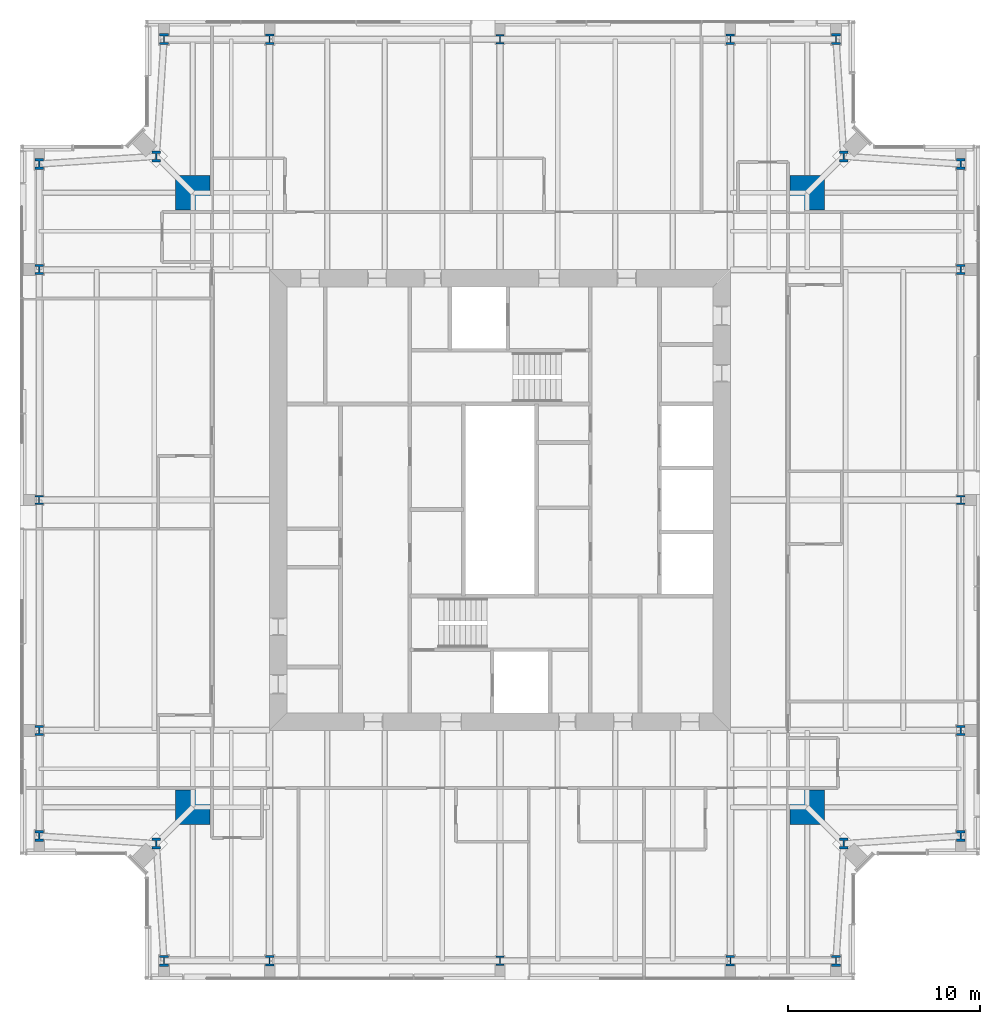
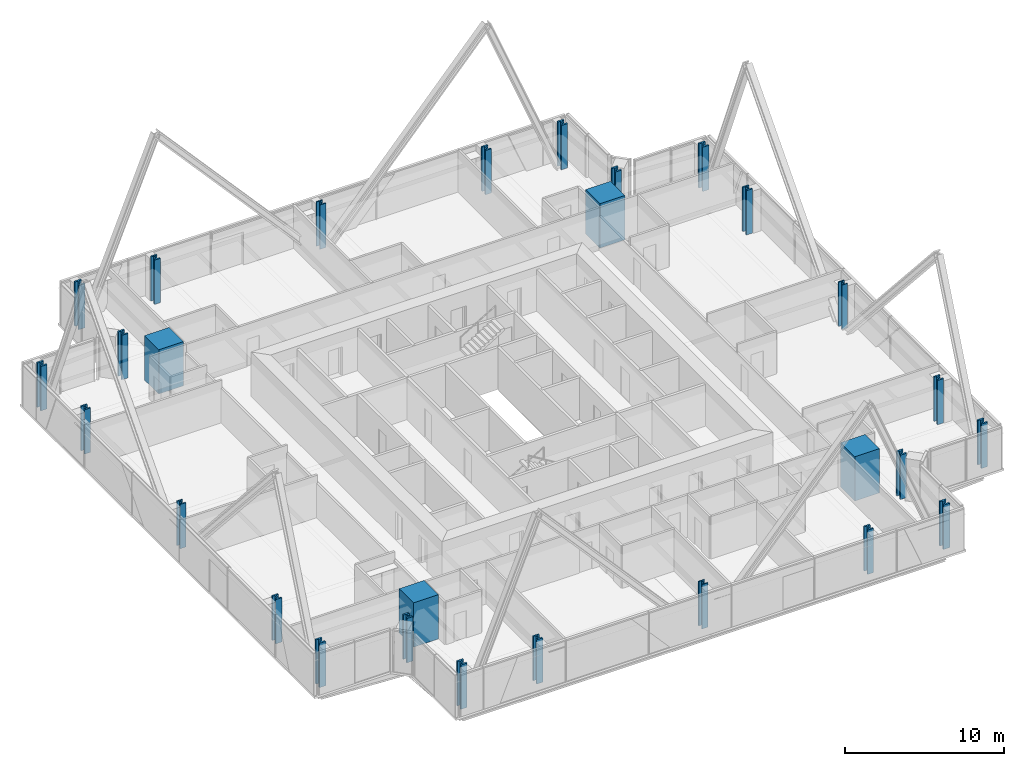
# One storey, part 1 of 19: 28 columns.
"""IFC4 building model written with IfcOpenShell, lengths in metres."""

from ifc_helpers import new_model, si_unit, direction, frame, origin, origin_2d, place, context, subcontext, project, spatial, rectangle, i_section, extrude, material, material_profile, profile_set, type_object, element, save


model = new_model("IFC4")

# Units and contexts
model_context = context("Model", 3, precision=1e-05, world=origin(), true_north=direction((0.0, 1.0)))
body_context = subcontext(model_context, "Body", "Model", "MODEL_VIEW")
ifc_project = project(units=[si_unit("LENGTHUNIT", "METRE"), si_unit("AREAUNIT", "SQUARE_METRE"), si_unit("VOLUMEUNIT", "CUBIC_METRE"), si_unit("PLANEANGLEUNIT", "RADIAN"), si_unit("MASSUNIT", "GRAM", prefix="KILO")], contexts=[model_context])

# Site, building, storey
site_placement = place(None, origin())
site = spatial("IfcSite", under=ifc_project, at=site_placement, CompositionType="ELEMENT")
building_placement = place(site_placement, origin())
building = spatial("IfcBuilding", under=site, at=building_placement, Name="Fenwick Lantern Interchange", CompositionType="ELEMENT")
storey_placement = place(building_placement, frame((0.0, 0.0, 283.199951171875)))
storey = spatial("IfcBuildingStorey", under=building, at=storey_placement, Name="L68", CompositionType="ELEMENT", Elevation=283.199951171875)

# Columns
ifc_material_1 = material(Name="Concrete f'c 70 MPa", Category="concrete")
ifc_material_profile_1 = material_profile(ifc_material_1, rectangle(XDim=1.800048828125, YDim=1.800048828125, at=origin_2d()), Name="RC1800X1800")
ifc_profile_set_1 = profile_set([ifc_material_profile_1], Name="Concrete f'c 70 MPa")
column_type_1 = type_object("IfcColumnType", Name="MEGA COLUMN RC1800X1800", PredefinedType="COLUMN", material=ifc_profile_set_1)
for number, where, z_axis, x_axis, name in (
    (1, (9.0, 9.0, 0.0), (0.0, 0.0, 1.0), (1.0, 0.0, 0.0), "L68/M1"),
    (2, (41.0, 9.0, 0.0), (0.0, 0.0, 1.0), (1.0, 0.0, 0.0), "L68/M2"),
    (3, (41.0, 41.0, 0.0), (0.0, 0.0, 1.0), (1.0, 0.0, 0.0), "L68/M3"),
    (4, (9.0, 41.0, 0.0), (0.0, 0.0, 1.0), (1.0, 0.0, 0.0), "L68/M4"),
):
    element("IfcColumn", number, at=place(storey_placement, frame(where, z_axis=z_axis, x_axis=x_axis)), inside=storey, type_object=column_type_1, Name=name, PredefinedType="COLUMN", context=body_context, shape_type="SweptSolid", body=[
        extrude(rectangle(XDim=1.800048828125, YDim=1.800048828125, at=origin_2d()), origin(), (0.0, 0.0, 1.0), 3.400146484375),
    ])
ifc_material_2 = material(Name="Steel ASTM A992 Grade 50", Category="steel")
ifc_material_profile_2 = material_profile(ifc_material_2, i_section(OverallWidth=0.424072265625, OverallDepth=0.47509765625, WebThickness=0.0478515625, FlangeThickness=0.0771484375, at=origin_2d()), Name="W14X426")
ifc_profile_set_2 = profile_set([ifc_material_profile_2], Name="Steel ASTM A992 Grade 50")
column_type_2 = type_object("IfcColumnType", Name="PERIMETER COLUMN W14X426", PredefinedType="COLUMN", material=ifc_profile_set_2)
for number, where, z_axis, x_axis, name in (
    (5, (25.0, 1.0, 0.0), (0.0, 0.0, 1.0), (1.0, 0.0, 0.0), "L68/CS3"),
    (6, (49.0, 25.0, 0.0), (0.0, 0.0, 1.0), (1.0, 0.0, 0.0), "L68/CE3"),
    (7, (25.0, 49.0, 0.0), (0.0, 0.0, 1.0), (1.0, 0.0, 0.0), "L68/CN3"),
    (8, (1.0, 25.0, 0.0), (0.0, 0.0, 1.0), (1.0, 0.0, 0.0), "L68/CW3"),
):
    element("IfcColumn", number, at=place(storey_placement, frame(where, z_axis=z_axis, x_axis=x_axis)), inside=storey, type_object=column_type_2, Name=name, PredefinedType="COLUMN", context=body_context, shape_type="SweptSolid", body=[
        extrude(i_section(OverallWidth=0.424072265625, OverallDepth=0.47509765625, WebThickness=0.0478515625, FlangeThickness=0.0771484375, at=origin_2d()), origin(), (0.0, 0.0, 1.0), 3.400146484375),
    ])
ifc_material_profile_3 = material_profile(ifc_material_2, i_section(OverallWidth=0.44189453125, OverallDepth=0.53076171875, WebThickness=0.06591796875, FlangeThickness=0.105712890625, at=origin_2d()), Name="W14X605")
ifc_profile_set_3 = profile_set([ifc_material_profile_3], Name="Steel ASTM A992 Grade 50")
column_type_3 = type_object("IfcColumnType", Name="PERIMETER COLUMN W14X605", PredefinedType="COLUMN", material=ifc_profile_set_3)
for number, where, z_axis, x_axis, name in (
    (9, (13.0, 1.0, 0.0), (0.0, 0.0, 1.0), (1.0, 0.0, 0.0), "L68/CS2"),
    (10, (37.0, 1.0, 0.0), (0.0, 0.0, 1.0), (1.0, 0.0, 0.0), "L68/CS4"),
    (11, (49.0, 13.0, 0.0), (0.0, 0.0, 1.0), (1.0, 0.0, 0.0), "L68/CE2"),
    (12, (49.0, 37.0, 0.0), (0.0, 0.0, 1.0), (1.0, 0.0, 0.0), "L68/CE4"),
    (13, (37.0, 49.0, 0.0), (0.0, 0.0, 1.0), (1.0, 0.0, 0.0), "L68/CN2"),
    (14, (13.0, 49.0, 0.0), (0.0, 0.0, 1.0), (1.0, 0.0, 0.0), "L68/CN4"),
    (15, (1.0, 37.0, 0.0), (0.0, 0.0, 1.0), (1.0, 0.0, 0.0), "L68/CW2"),
    (16, (1.0, 13.0, 0.0), (0.0, 0.0, 1.0), (1.0, 0.0, 0.0), "L68/CW4"),
):
    element("IfcColumn", number, at=place(storey_placement, frame(where, z_axis=z_axis, x_axis=x_axis)), inside=storey, type_object=column_type_3, Name=name, PredefinedType="COLUMN", context=body_context, shape_type="SweptSolid", body=[
        extrude(i_section(OverallWidth=0.44189453125, OverallDepth=0.53076171875, WebThickness=0.06591796875, FlangeThickness=0.105712890625, at=origin_2d()), origin(), (0.0, 0.0, 1.0), 3.400146484375),
    ])
ifc_material_profile_4 = material_profile(ifc_material_2, i_section(OverallWidth=0.45458984375, OverallDepth=0.56884765625, WebThickness=0.077880859375, FlangeThickness=0.124755859375, at=origin_2d()), Name="W14X730")
ifc_profile_set_4 = profile_set([ifc_material_profile_4], Name="Steel ASTM A992 Grade 50")
column_type_4 = type_object("IfcColumnType", Name="PERIMETER COLUMN W14X730", PredefinedType="COLUMN", material=ifc_profile_set_4)
for number, where, z_axis, x_axis, name in (
    (17, (7.5, 1.0, 0.0), (0.0, 0.0, 1.0), (1.0, 0.0, 0.0), "L68/CS1"),
    (18, (42.5, 1.0, 0.0), (0.0, 0.0, 1.0), (1.0, 0.0, 0.0), "L68/CS5"),
    (19, (42.89990234375, 7.10009765625, 0.0), (0.0, 0.0, 1.0), (1.0, 0.0, 0.0), "L68/CSR"),
    (20, (49.0, 7.5, 0.0), (0.0, 0.0, 1.0), (1.0, 0.0, 0.0), "L68/CE1"),
    (21, (49.0, 42.5, 0.0), (0.0, 0.0, 1.0), (1.0, 0.0, 0.0), "L68/CE5"),
    (22, (42.89990234375, 42.89990234375, 0.0), (0.0, 0.0, 1.0), (1.0, 0.0, 0.0), "L68/CER"),
    (23, (42.5, 49.0, 0.0), (0.0, 0.0, 1.0), (1.0, 0.0, 0.0), "L68/CN1"),
    (24, (7.5, 49.0, 0.0), (0.0, 0.0, 1.0), (1.0, 0.0, 0.0), "L68/CN5"),
    (25, (7.10009765625, 42.89990234375, 0.0), (0.0, 0.0, 1.0), (1.0, 0.0, 0.0), "L68/CNR"),
    (26, (1.0, 42.5, 0.0), (0.0, 0.0, 1.0), (1.0, 0.0, 0.0), "L68/CW1"),
    (27, (1.0, 7.5, 0.0), (0.0, 0.0, 1.0), (1.0, 0.0, 0.0), "L68/CW5"),
    (28, (7.10009765625, 7.10009765625, 0.0), (0.0, 0.0, 1.0), (1.0, 0.0, 0.0), "L68/CWR"),
):
    element("IfcColumn", number, at=place(storey_placement, frame(where, z_axis=z_axis, x_axis=x_axis)), inside=storey, type_object=column_type_4, Name=name, PredefinedType="COLUMN", context=body_context, shape_type="SweptSolid", body=[
        extrude(i_section(OverallWidth=0.45458984375, OverallDepth=0.56884765625, WebThickness=0.077880859375, FlangeThickness=0.124755859375, at=origin_2d()), origin(), (0.0, 0.0, 1.0), 3.400146484375),
    ])

save(model, "model.ifc")
